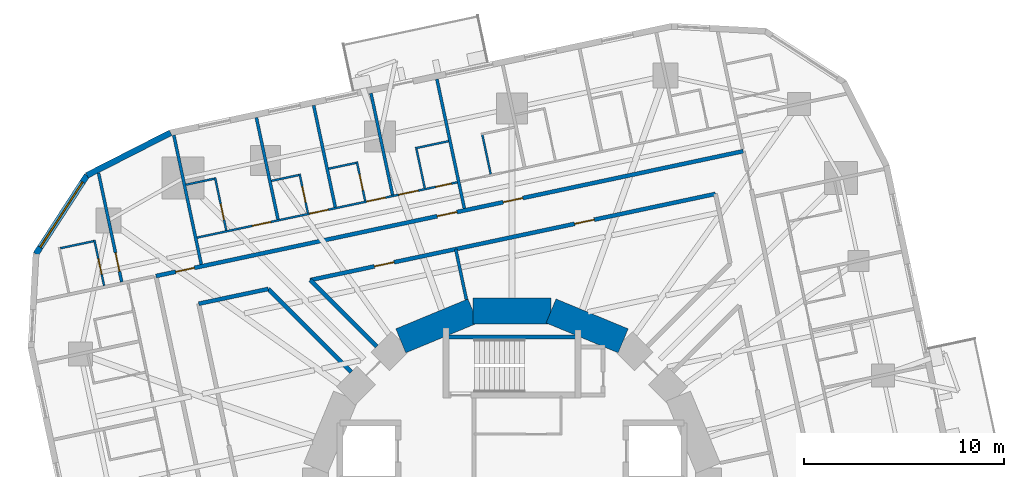
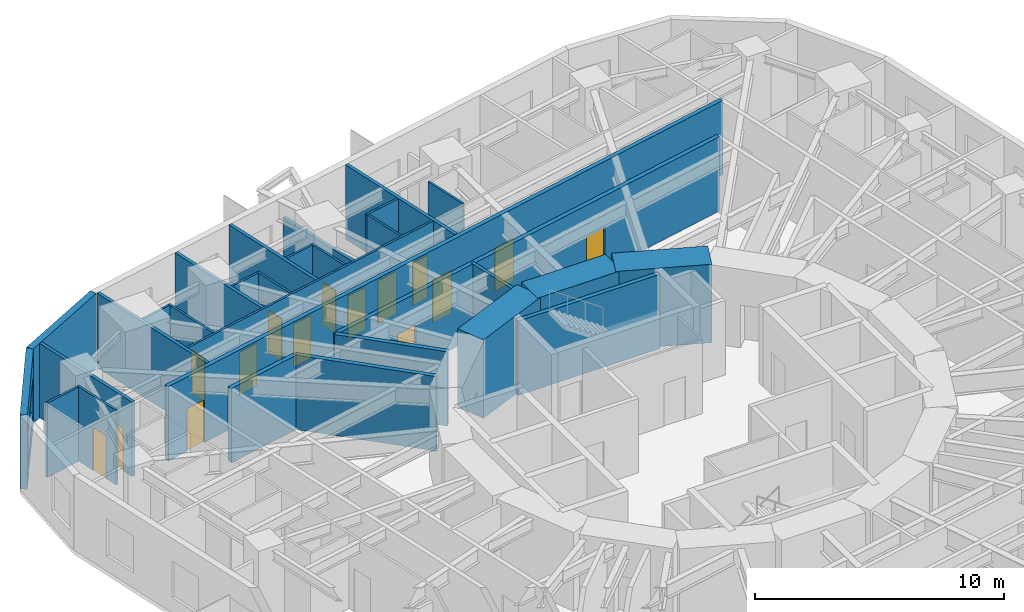
# One storey, part 10 of 14: 30 walls, 15 doors, 1 window, 16 openings.
"""IFC4 building model written with IfcOpenShell, lengths in metres."""

from ifc_helpers import new_model, si_unit, direction, frame, frame_2d, origin, place, context, subcontext, project, spatial, rectangle, extrude, material, layer, layer_set, type_object, element, fill, save


model = new_model("IFC4")

# Units and contexts
model_context = context("Model", 3, precision=1e-05, world=origin(), true_north=direction((0.0, 1.0)))
body_context = subcontext(model_context, "Body", "Model", "MODEL_VIEW")
ifc_project = project(units=[si_unit("LENGTHUNIT", "METRE"), si_unit("AREAUNIT", "SQUARE_METRE"), si_unit("VOLUMEUNIT", "CUBIC_METRE"), si_unit("PLANEANGLEUNIT", "RADIAN"), si_unit("MASSUNIT", "GRAM", prefix="KILO")], contexts=[model_context])

# Site, building, storey
site_placement = place(None, origin())
site = spatial("IfcSite", under=ifc_project, at=site_placement, CompositionType="ELEMENT")
building_placement = place(site_placement, origin())
building = spatial("IfcBuilding", under=site, at=building_placement, Name="Nakasero Lantern House", CompositionType="ELEMENT")
storey_placement = place(building_placement, frame((0.0, 0.0, 112.699951171875)))
storey = spatial("IfcBuildingStorey", under=building, at=storey_placement, Name="L27", CompositionType="ELEMENT", Elevation=112.699951171875)

# Wall, openings, doors
ifc_material_1 = material(Name="Blockwork", Category="masonry")
ifc_layer_1 = layer(ifc_material_1, 0.10009765625)
ifc_layer_set_1 = layer_set([ifc_layer_1], Name="Cluster hall wall 100")
wall_type_1 = type_object("IfcWallType", Name="Cluster hall wall 100", PredefinedType="PARTITIONING", material=ifc_layer_set_1)
wall_1_placement = place(storey_placement, frame((-2.734375, 16.236328125, 0.0), z_axis=(0.0, 0.0, 1.0), x_axis=(-0.978145215443, -0.207922912411, 0.0)))
wall_1 = element("IfcWall", 1, at=wall_1_placement, inside=storey, type_object=wall_type_1, Name="Cluster hall wall L27 HW1-1", PredefinedType="PARTITIONING", context=body_context, shape_type="SweptSolid", body=[
    extrude(rectangle(XDim=13.28955078125, YDim=0.10009765625, at=frame_2d((6.644775390625, 0.0))), origin(), (0.0, 0.0, 1.0), 3.650146484375),
])
opening_1_placement = place(wall_1_placement, frame((1.99365234375, 0.0, 0.0)))
opening_1 = element("IfcOpeningElement", 2, at=opening_1_placement, cuts=wall_1, Name="Opening D03", PredefinedType="OPENING", context=body_context, shape_type="SweptSolid", body=[
    extrude(rectangle(XDim=1.0, YDim=2.10009765625, at=frame_2d((0.5, 1.050048828125))), frame((0.0, 0.070068359375, 0.0), z_axis=(0.0, -1.0, 0.0), x_axis=(1.0, 0.0, 0.0)), (0.0, 0.0, 1.0), 0.14013671875),
])
opening_2_placement = place(wall_1_placement, frame((0.300048828125, 0.0, 0.0)))
opening_2 = element("IfcOpeningElement", 3, at=opening_2_placement, cuts=wall_1, Name="Opening D02", PredefinedType="OPENING", context=body_context, shape_type="SweptSolid", body=[
    extrude(rectangle(XDim=0.800048828125, YDim=2.10009765625, at=frame_2d((0.39990234375, 1.050048828125))), frame((0.0, 0.070068359375, 0.0), z_axis=(0.0, -1.0, 0.0), x_axis=(1.0, 0.0, 0.0)), (0.0, 0.0, 1.0), 0.14013671875),
])
opening_3_placement = place(wall_1_placement, frame((3.668701171875, 0.0, 0.0)))
opening_3 = element("IfcOpeningElement", 4, at=opening_3_placement, cuts=wall_1, Name="Opening D01", PredefinedType="OPENING", context=body_context, shape_type="SweptSolid", body=[
    extrude(rectangle(XDim=0.949951171875, YDim=2.10009765625, at=frame_2d((0.47509765625, 1.050048828125))), frame((0.0, 0.070068359375, 0.0), z_axis=(0.0, -1.0, 0.0), x_axis=(1.0, 0.0, 0.0)), (0.0, 0.0, 1.0), 0.14013671875),
])
opening_4_placement = place(wall_1_placement, frame((6.594970703125, 0.0, 0.0)))
opening_4 = element("IfcOpeningElement", 5, at=opening_4_placement, cuts=wall_1, Name="Opening D01", PredefinedType="OPENING", context=body_context, shape_type="SweptSolid", body=[
    extrude(rectangle(XDim=0.949951171875, YDim=2.10009765625, at=frame_2d((0.47509765625, 1.050048828125))), frame((0.0, 0.070068359375, 0.0), z_axis=(0.0, -1.0, 0.0), x_axis=(1.0, 0.0, 0.0)), (0.0, 0.0, 1.0), 0.14013671875),
])
opening_5_placement = place(wall_1_placement, frame((9.521484375, 0.0, 0.0)))
opening_5 = element("IfcOpeningElement", 6, at=opening_5_placement, cuts=wall_1, Name="Opening D01", PredefinedType="OPENING", context=body_context, shape_type="SweptSolid", body=[
    extrude(rectangle(XDim=0.949951171875, YDim=2.10009765625, at=frame_2d((0.47509765625, 1.050048828125))), frame((0.0, 0.070068359375, 0.0), z_axis=(0.0, -1.0, 0.0), x_axis=(1.0, 0.0, 0.0)), (0.0, 0.0, 1.0), 0.14013671875),
])
ifc_material_2 = material(Name="Timber C24", Category="wood")
door_type_1 = type_object("IfcDoorType", Name="Bedroom door FD30S 950", OperationType="SINGLE_SWING_LEFT", PredefinedType="DOOR", material=ifc_material_2)
door_1_placement = place(opening_3_placement, origin())
door_1 = element("IfcDoor", 7, at=door_1_placement, inside=storey, type_object=door_type_1, Name="Door L27 D1-05", OperationType="SINGLE_SWING_LEFT", OverallHeight=2.10009765625, OverallWidth=0.949951171875, PredefinedType="DOOR", context=body_context, shape_type="SweptSolid", body=[
    extrude(rectangle(XDim=0.949951171875, YDim=2.10009765625, at=frame_2d((0.47509765625, 1.050048828125))), frame((0.0, 0.02490234375, 0.0), z_axis=(0.0, -1.0, 0.0), x_axis=(1.0, 0.0, 0.0)), (0.0, 0.0, 1.0), 0.050048828125),
])
fill(opening_3, door_1)
door_2_placement = place(opening_4_placement, origin())
door_2 = element("IfcDoor", 8, at=door_2_placement, inside=storey, type_object=door_type_1, Name="Door L27 D1-06", OperationType="SINGLE_SWING_RIGHT", OverallHeight=2.10009765625, OverallWidth=0.949951171875, PredefinedType="DOOR", context=body_context, shape_type="SweptSolid", body=[
    extrude(rectangle(XDim=0.949951171875, YDim=2.10009765625, at=frame_2d((0.47509765625, 1.050048828125))), frame((0.0, 0.02490234375, 0.0), z_axis=(0.0, -1.0, 0.0), x_axis=(1.0, 0.0, 0.0)), (0.0, 0.0, 1.0), 0.050048828125),
])
fill(opening_4, door_2)
door_3_placement = place(opening_5_placement, origin())
door_3 = element("IfcDoor", 9, at=door_3_placement, inside=storey, type_object=door_type_1, Name="Door L27 D1-07", OperationType="SINGLE_SWING_RIGHT", OverallHeight=2.10009765625, OverallWidth=0.949951171875, PredefinedType="DOOR", context=body_context, shape_type="SweptSolid", body=[
    extrude(rectangle(XDim=0.949951171875, YDim=2.10009765625, at=frame_2d((0.47509765625, 1.050048828125))), frame((0.0, 0.02490234375, 0.0), z_axis=(0.0, -1.0, 0.0), x_axis=(1.0, 0.0, 0.0)), (0.0, 0.0, 1.0), 0.050048828125),
])
fill(opening_5, door_3)
ifc_material_3 = material(Name="Timber C24", Category="wood")
door_type_2 = type_object("IfcDoorType", Name="En-suite door 800", OperationType="SINGLE_SWING_RIGHT", PredefinedType="DOOR", material=ifc_material_3)
door_4_placement = place(opening_2_placement, origin())
door_4 = element("IfcDoor", 10, at=door_4_placement, inside=storey, type_object=door_type_2, Name="Door L27 DSH1-1", OperationType="SINGLE_SWING_LEFT", OverallHeight=2.10009765625, OverallWidth=0.800048828125, PredefinedType="DOOR", context=body_context, shape_type="SweptSolid", body=[
    extrude(rectangle(XDim=0.800048828125, YDim=2.10009765625, at=frame_2d((0.39990234375, 1.050048828125))), frame((0.0, 0.02490234375, 0.0), z_axis=(0.0, -1.0, 0.0), x_axis=(1.0, 0.0, 0.0)), (0.0, 0.0, 1.0), 0.050048828125),
])
fill(opening_2, door_4)
ifc_material_4 = material(Name="Timber C24", Category="wood")
door_type_3 = type_object("IfcDoorType", Name="Lounge door FD30S 1000", OperationType="SINGLE_SWING_LEFT", PredefinedType="DOOR", material=ifc_material_4)
door_5_placement = place(opening_1_placement, origin())
door_5 = element("IfcDoor", 11, at=door_5_placement, inside=storey, type_object=door_type_3, Name="Door L27 DH1-1", OperationType="SINGLE_SWING_LEFT", OverallHeight=2.10009765625, OverallWidth=1.0, PredefinedType="DOOR", context=body_context, shape_type="SweptSolid", body=[
    extrude(rectangle(XDim=1.0, YDim=2.10009765625, at=frame_2d((0.5, 1.050048828125))), frame((0.0, 0.02490234375, 0.0), z_axis=(0.0, -1.0, 0.0), x_axis=(1.0, 0.0, 0.0)), (0.0, 0.0, 1.0), 0.050048828125),
])
fill(opening_1, door_5)

# Walls
ifc_material_5 = material(Name="Concrete C50/60", Category="concrete")
ifc_layer_2 = layer(ifc_material_5, 1.300048828125)
ifc_layer_set_2 = layer_set([ifc_layer_2], Name="Core wall 1300")
wall_type_2 = type_object("IfcWallType", Name="Core wall 1300", PredefinedType="SHEAR", material=ifc_layer_set_2)
for number, where, z_axis, x_axis, name in (
    (12, (5.5556640625, 8.314697265625, 0.0), (0.0, 0.0, 1.0), (-0.923876507187, 0.382690736062, 0.0), "Core wall L27 facet 3"),
    (13, (1.950927734375, 9.807861328125, 0.0), (0.0, 0.0, 1.0), (-1.0, 0.0, 0.0), "Core wall L27 facet 4"),
    (14, (-1.950927734375, 9.807861328125, 0.0), (0.0, 0.0, 1.0), (-0.923876507187, -0.382690736062, 0.0), "Core wall L27 facet 5"),
):
    element("IfcWall", number, at=place(storey_placement, frame(where, z_axis=z_axis, x_axis=x_axis)), inside=storey, type_object=wall_type_2, Name=name, PredefinedType="SHEAR", context=body_context, shape_type="SweptSolid", body=[
        extrude(rectangle(XDim=3.90185546875, YDim=1.300048828125, at=frame_2d((1.950927734375, 0.0))), origin(), (0.0, 0.0, 1.0), 3.85009765625),
    ])

# Wall, openings, doors
ifc_material_6 = material(Name="Blockwork", Category="masonry")
ifc_layer_3 = layer(ifc_material_6, 0.199951171875)
ifc_layer_set_3 = layer_set([ifc_layer_3], Name="Corridor wall 200")
wall_type_3 = type_object("IfcWallType", Name="Corridor wall 200", PredefinedType="PARTITIONING", material=ifc_layer_set_3)
wall_2_placement = place(storey_placement, frame((11.553466796875, 17.790771484375, 0.0), z_axis=(0.0, 0.0, 1.0), x_axis=(-0.978147639417, -0.207911508826, 0.0)))
wall_2 = element("IfcWall", 15, at=wall_2_placement, inside=storey, type_object=wall_type_3, Name="Corridor wall L27 CW1", PredefinedType="PARTITIONING", context=body_context, shape_type="SweptSolid", body=[
    extrude(rectangle(XDim=29.999755859375, YDim=0.199951171875, at=frame_2d((15.0, 0.0))), origin(), (0.0, 0.0, 1.0), 3.650146484375),
])
opening_6_placement = place(wall_2_placement, frame((11.255126953125, 0.0, 0.0)))
opening_6 = element("IfcOpeningElement", 16, at=opening_6_placement, cuts=wall_2, Name="Opening D14", PredefinedType="OPENING", context=body_context, shape_type="SweptSolid", body=[
    extrude(rectangle(XDim=1.0, YDim=2.10009765625, at=frame_2d((0.5, 1.050048828125))), frame((0.0, 0.119873046875, 0.0), z_axis=(0.0, -1.0, 0.0), x_axis=(1.0, 0.0, 0.0)), (0.0, 0.0, 1.0), 0.239990234375),
])
opening_7_placement = place(wall_2_placement, frame((14.623779296875, 0.0, 0.0)))
opening_7 = element("IfcOpeningElement", 17, at=opening_7_placement, cuts=wall_2, Name="Opening D14", PredefinedType="OPENING", context=body_context, shape_type="SweptSolid", body=[
    extrude(rectangle(XDim=1.0, YDim=2.10009765625, at=frame_2d((0.5, 1.050048828125))), frame((0.0, 0.119873046875, 0.0), z_axis=(0.0, -1.0, 0.0), x_axis=(1.0, 0.0, 0.0)), (0.0, 0.0, 1.0), 0.239990234375),
])
opening_8_placement = place(wall_2_placement, frame((28.038330078125, 0.0, 0.0)))
opening_8 = element("IfcOpeningElement", 18, at=opening_8_placement, cuts=wall_2, Name="Opening D01", PredefinedType="OPENING", context=body_context, shape_type="SweptSolid", body=[
    extrude(rectangle(XDim=0.949951171875, YDim=2.10009765625, at=frame_2d((0.47509765625, 1.050048828125))), frame((0.0, 0.119873046875, 0.0), z_axis=(0.0, -1.0, 0.0), x_axis=(1.0, 0.0, 0.0)), (0.0, 0.0, 1.0), 0.239990234375),
])
door_6_placement = place(opening_8_placement, origin())
door_6 = element("IfcDoor", 19, at=door_6_placement, inside=storey, type_object=door_type_1, Name="Door L27 D1-08", OperationType="SINGLE_SWING_RIGHT", OverallHeight=2.10009765625, OverallWidth=0.949951171875, PredefinedType="DOOR", context=body_context, shape_type="SweptSolid", body=[
    extrude(rectangle(XDim=0.949951171875, YDim=2.10009765625, at=frame_2d((0.47509765625, 1.050048828125))), frame((0.0, 0.02490234375, 0.0), z_axis=(0.0, -1.0, 0.0), x_axis=(1.0, 0.0, 0.0)), (0.0, 0.0, 1.0), 0.050048828125),
])
fill(opening_8, door_6)
ifc_material_7 = material(Name="Timber C24", Category="wood")
door_type_4 = type_object("IfcDoorType", Name="Cluster entrance door FD30S 1000", OperationType="SINGLE_SWING_LEFT", PredefinedType="DOOR", material=ifc_material_7)
door_7_placement = place(opening_6_placement, origin())
door_7 = element("IfcDoor", 20, at=door_7_placement, inside=storey, type_object=door_type_4, Name="Door L27 DF1-0", OperationType="SINGLE_SWING_LEFT", OverallHeight=2.10009765625, OverallWidth=1.0, PredefinedType="DOOR", context=body_context, shape_type="SweptSolid", body=[
    extrude(rectangle(XDim=1.0, YDim=2.10009765625, at=frame_2d((0.5, 1.050048828125))), frame((0.0, 0.02490234375, 0.0), z_axis=(0.0, -1.0, 0.0), x_axis=(1.0, 0.0, 0.0)), (0.0, 0.0, 1.0), 0.050048828125),
])
fill(opening_6, door_7)
door_8_placement = place(opening_7_placement, origin())
door_8 = element("IfcDoor", 21, at=door_8_placement, inside=storey, type_object=door_type_4, Name="Door L27 DF1-1", OperationType="SINGLE_SWING_RIGHT", OverallHeight=2.10009765625, OverallWidth=1.0, PredefinedType="DOOR", context=body_context, shape_type="SweptSolid", body=[
    extrude(rectangle(XDim=1.0, YDim=2.10009765625, at=frame_2d((0.5, 1.050048828125))), frame((0.0, 0.02490234375, 0.0), z_axis=(0.0, -1.0, 0.0), x_axis=(1.0, 0.0, 0.0)), (0.0, 0.0, 1.0), 0.050048828125),
])
fill(opening_7, door_8)

wall_3_placement = place(storey_placement, frame((10.1669921875, 15.656005859375, 0.0), z_axis=(0.0, 0.0, 1.0), x_axis=(-0.978145959178, -0.207919413582, 0.0)))
wall_3 = element("IfcWall", 22, at=wall_3_placement, inside=storey, type_object=wall_type_3, Name="Corridor wall L27 IW1-0", PredefinedType="PARTITIONING", context=body_context, shape_type="SweptSolid", body=[
    extrude(rectangle(XDim=20.698974609375, YDim=0.199951171875, at=frame_2d((10.349609375, 0.0))), origin(), (0.0, 0.0, 1.0), 3.650146484375),
])
opening_9_placement = place(wall_3_placement, frame((6.197509765625, 0.0, 0.0)))
opening_9 = element("IfcOpeningElement", 23, at=opening_9_placement, cuts=wall_3, Name="Opening D07", PredefinedType="OPENING", context=body_context, shape_type="SweptSolid", body=[
    extrude(rectangle(XDim=1.0, YDim=2.10009765625, at=frame_2d((0.5, 1.050048828125))), frame((0.0, 0.119873046875, 0.0), z_axis=(0.0, -1.0, 0.0), x_axis=(1.0, 0.0, 0.0)), (0.0, 0.0, 1.0), 0.239990234375),
])
opening_10_placement = place(wall_3_placement, frame((16.422119140625, 0.0, 0.0)))
opening_10 = element("IfcOpeningElement", 24, at=opening_10_placement, cuts=wall_3, Name="Opening D07", PredefinedType="OPENING", context=body_context, shape_type="SweptSolid", body=[
    extrude(rectangle(XDim=1.0, YDim=2.10009765625, at=frame_2d((0.5, 1.050048828125))), frame((0.0, 0.119873046875, 0.0), z_axis=(0.0, -1.0, 0.0), x_axis=(1.0, 0.0, 0.0)), (0.0, 0.0, 1.0), 0.239990234375),
])
ifc_material_8 = material(Name="Timber C24", Category="wood")
door_type_5 = type_object("IfcDoorType", Name="Room door FD30S 1000", OperationType="SINGLE_SWING_LEFT", PredefinedType="DOOR", material=ifc_material_8)
door_9_placement = place(opening_9_placement, origin())
door_9 = element("IfcDoor", 25, at=door_9_placement, inside=storey, type_object=door_type_5, Name="Door L27 DI5", OperationType="SINGLE_SWING_LEFT", OverallHeight=2.10009765625, OverallWidth=1.0, PredefinedType="DOOR", context=body_context, shape_type="SweptSolid", body=[
    extrude(rectangle(XDim=1.0, YDim=2.10009765625, at=frame_2d((0.5, 1.050048828125))), frame((0.0, 0.02490234375, 0.0), z_axis=(0.0, -1.0, 0.0), x_axis=(1.0, 0.0, 0.0)), (0.0, 0.0, 1.0), 0.050048828125),
])
fill(opening_9, door_9)
door_10_placement = place(opening_10_placement, origin())
door_10 = element("IfcDoor", 26, at=door_10_placement, inside=storey, type_object=door_type_5, Name="Door L27 DI6", OperationType="SINGLE_SWING_RIGHT", OverallHeight=2.10009765625, OverallWidth=1.0, PredefinedType="DOOR", context=body_context, shape_type="SweptSolid", body=[
    extrude(rectangle(XDim=1.0, YDim=2.10009765625, at=frame_2d((0.5, 1.050048828125))), frame((0.0, 0.02490234375, 0.0), z_axis=(0.0, -1.0, 0.0), x_axis=(1.0, 0.0, 0.0)), (0.0, 0.0, 1.0), 0.050048828125),
])
fill(opening_10, door_10)

# Walls
wall_4_placement = place(storey_placement, frame((-12.178955078125, 10.90625, 0.0), z_axis=(0.0, 0.0, 1.0), x_axis=(-0.978136852319, -0.207962251708, 0.0)))
element("IfcWall", 27, at=wall_4_placement, inside=storey, type_object=wall_type_3, Name="Corridor wall L27 IW1-1", PredefinedType="PARTITIONING", context=body_context, shape_type="SweptSolid", body=[
    extrude(rectangle(XDim=3.5546875, YDim=0.199951171875, at=frame_2d((1.77734375, 0.0))), origin(), (0.0, 0.0, 1.0), 3.650146484375),
])
wall_5_placement = place(storey_placement, frame((-8.03125, 6.758544921875, 0.0), z_axis=(0.0, 0.0, 1.0), x_axis=(-0.707106781187, 0.707106781187, 0.0)))
element("IfcWall", 28, at=wall_5_placement, inside=storey, type_object=wall_type_3, Name="Corridor wall L27 PS06a", PredefinedType="PARTITIONING", context=body_context, shape_type="SweptSolid", body=[
    extrude(rectangle(XDim=5.86572265625, YDim=0.199951171875, at=frame_2d((2.932861328125, 0.0))), origin(), (0.0, 0.0, 1.0), 3.650146484375),
])
wall_6_placement = place(storey_placement, frame((-6.758544921875, 8.03125, 0.0), z_axis=(0.0, 0.0, 1.0), x_axis=(-0.707106781187, 0.707106781187, 0.0)))
element("IfcWall", 29, at=wall_6_placement, inside=storey, type_object=wall_type_3, Name="Corridor wall L27 PS06b", PredefinedType="PARTITIONING", context=body_context, shape_type="SweptSolid", body=[
    extrude(rectangle(XDim=4.69677734375, YDim=0.199951171875, at=frame_2d((2.348388671875, 0.0))), origin(), (0.0, 0.0, 1.0), 3.650146484375),
])
ifc_material_9 = material(Name="Blockwork", Category="masonry")
ifc_layer_4 = layer(ifc_material_9, 0.10009765625)
ifc_layer_set_4 = layer_set([ifc_layer_4], Name="En-suite wall 100")
wall_type_4 = type_object("IfcWallType", Name="En-suite wall 100", PredefinedType="PARTITIONING", material=ifc_layer_set_4)
for number, where, z_axis, x_axis, name in (
    (30, (-1.0634765625, 16.642578125, 0.0), (0.0, 0.0, 1.0), (-0.207972763311, 0.978134617382, 0.0), "En-suite wall L27 SS1-0"),
    (31, (-4.358642578125, 15.942138671875, 0.0), (0.0, 0.0, 1.0), (-0.207861536591, 0.97815826, 0.0), "En-suite wall L27 SS1-1"),
):
    element("IfcWall", number, at=place(storey_placement, frame(where, z_axis=z_axis, x_axis=x_axis)), inside=storey, type_object=wall_type_4, Name=name, PredefinedType="PARTITIONING", context=body_context, shape_type="SweptSolid", body=[
        extrude(rectangle(XDim=2.10009765625, YDim=0.10009765625, at=frame_2d((1.050048828125, 0.0))), origin(), (0.0, 0.0, 1.0), 3.650146484375),
    ])
wall_7_placement = place(storey_placement, frame((-3.1708984375, 18.29052734375, 0.0), z_axis=(0.0, 0.0, 1.0), x_axis=(-0.97813950236, -0.207949787024, 0.0)))
element("IfcWall", 32, at=wall_7_placement, inside=storey, type_object=wall_type_4, Name="En-suite wall L27 SE1-1", PredefinedType="PARTITIONING", context=body_context, shape_type="SweptSolid", body=[
    extrude(rectangle(XDim=1.699951171875, YDim=0.10009765625, at=frame_2d((0.85009765625, 0.0))), origin(), (0.0, 0.0, 1.0), 3.650146484375),
])

# Wall, opening, door
wall_8_placement = place(storey_placement, frame((-7.337158203125, 15.30908203125, 0.0), z_axis=(0.0, 0.0, 1.0), x_axis=(-0.207886494942, 0.978152955943, 0.0)))
wall_8 = element("IfcWall", 33, at=wall_8_placement, inside=storey, type_object=wall_type_4, Name="En-suite wall L27 ES1-05", PredefinedType="PARTITIONING", context=body_context, shape_type="SweptSolid", body=[
    extrude(rectangle(XDim=2.0, YDim=0.10009765625, at=frame_2d((1.0, 0.0))), origin(), (0.0, 0.0, 1.0), 3.650146484375),
])
opening_11_placement = place(wall_8_placement, frame((0.550048828125, 0.0, 0.0)))
opening_11 = element("IfcOpeningElement", 34, at=opening_11_placement, cuts=wall_8, Name="Opening D02", PredefinedType="OPENING", context=body_context, shape_type="SweptSolid", body=[
    extrude(rectangle(XDim=0.800048828125, YDim=2.10009765625, at=frame_2d((0.39990234375, 1.050048828125))), frame((0.0, 0.070068359375, 0.0), z_axis=(0.0, -1.0, 0.0), x_axis=(1.0, 0.0, 0.0)), (0.0, 0.0, 1.0), 0.14013671875),
])
door_11_placement = place(opening_11_placement, origin())
door_11 = element("IfcDoor", 35, at=door_11_placement, inside=storey, type_object=door_type_2, Name="Door L27 DE1-05", OperationType="SINGLE_SWING_LEFT", OverallHeight=2.10009765625, OverallWidth=0.800048828125, PredefinedType="DOOR", context=body_context, shape_type="SweptSolid", body=[
    extrude(rectangle(XDim=0.800048828125, YDim=2.10009765625, at=frame_2d((0.39990234375, 1.050048828125))), frame((0.0, 0.02490234375, 0.0), z_axis=(0.0, -1.0, 0.0), x_axis=(1.0, 0.0, 0.0)), (0.0, 0.0, 1.0), 0.050048828125),
])
fill(opening_11, door_11)

# Wall
wall_9_placement = place(storey_placement, frame((-7.79150390625, 17.2060546875, 0.0), z_axis=(0.0, 0.0, 1.0), x_axis=(-0.978155748334, -0.207873355681, 0.0)))
element("IfcWall", 36, at=wall_9_placement, inside=storey, type_object=wall_type_4, Name="En-suite wall L27 EE1-05", PredefinedType="PARTITIONING", context=body_context, shape_type="SweptSolid", body=[
    extrude(rectangle(XDim=1.39990234375, YDim=0.10009765625, at=frame_2d((0.699951171875, 0.0))), origin(), (0.0, 0.0, 1.0), 3.650146484375),
])

# Wall, opening, door
wall_10_placement = place(storey_placement, frame((-10.19970703125, 14.70068359375, 0.0), z_axis=(0.0, 0.0, 1.0), x_axis=(-0.207886494942, 0.978152955943, 0.0)))
wall_10 = element("IfcWall", 37, at=wall_10_placement, inside=storey, type_object=wall_type_4, Name="En-suite wall L27 ES1-06", PredefinedType="PARTITIONING", context=body_context, shape_type="SweptSolid", body=[
    extrude(rectangle(XDim=2.0, YDim=0.10009765625, at=frame_2d((1.0, 0.0))), origin(), (0.0, 0.0, 1.0), 3.650146484375),
])
opening_12_placement = place(wall_10_placement, frame((0.550048828125, 0.0, 0.0)))
opening_12 = element("IfcOpeningElement", 38, at=opening_12_placement, cuts=wall_10, Name="Opening D02", PredefinedType="OPENING", context=body_context, shape_type="SweptSolid", body=[
    extrude(rectangle(XDim=0.800048828125, YDim=2.10009765625, at=frame_2d((0.39990234375, 1.050048828125))), frame((0.0, 0.070068359375, 0.0), z_axis=(0.0, -1.0, 0.0), x_axis=(1.0, 0.0, 0.0)), (0.0, 0.0, 1.0), 0.14013671875),
])
door_12_placement = place(opening_12_placement, origin())
door_12 = element("IfcDoor", 39, at=door_12_placement, inside=storey, type_object=door_type_2, Name="Door L27 DE1-06", OperationType="SINGLE_SWING_LEFT", OverallHeight=2.10009765625, OverallWidth=0.800048828125, PredefinedType="DOOR", context=body_context, shape_type="SweptSolid", body=[
    extrude(rectangle(XDim=0.800048828125, YDim=2.10009765625, at=frame_2d((0.39990234375, 1.050048828125))), frame((0.0, 0.02490234375, 0.0), z_axis=(0.0, -1.0, 0.0), x_axis=(1.0, 0.0, 0.0)), (0.0, 0.0, 1.0), 0.050048828125),
])
fill(opening_12, door_12)

# Wall
wall_11_placement = place(storey_placement, frame((-10.654052734375, 16.59765625, 0.0), z_axis=(0.0, 0.0, 1.0), x_axis=(-0.978155748334, -0.207873355681, 0.0)))
element("IfcWall", 40, at=wall_11_placement, inside=storey, type_object=wall_type_4, Name="En-suite wall L27 EE1-06", PredefinedType="PARTITIONING", context=body_context, shape_type="SweptSolid", body=[
    extrude(rectangle(XDim=1.39990234375, YDim=0.10009765625, at=frame_2d((0.699951171875, 0.0))), origin(), (0.0, 0.0, 1.0), 3.650146484375),
])

# Wall, opening, door
wall_12_placement = place(storey_placement, frame((-14.276611328125, 13.833984375, 0.0), z_axis=(0.0, 0.0, 1.0), x_axis=(-0.207960405185, 0.978137244908, 0.0)))
wall_12 = element("IfcWall", 41, at=wall_12_placement, inside=storey, type_object=wall_type_4, Name="En-suite wall L27 ES1-07", PredefinedType="PARTITIONING", context=body_context, shape_type="SweptSolid", body=[
    extrude(rectangle(XDim=2.7001953125, YDim=0.10009765625, at=frame_2d((1.35009765625, 0.0))), origin(), (0.0, 0.0, 1.0), 3.650146484375),
])
opening_13_placement = place(wall_12_placement, frame((0.550048828125, 0.0, 0.0)))
opening_13 = element("IfcOpeningElement", 42, at=opening_13_placement, cuts=wall_12, Name="Opening D02", PredefinedType="OPENING", context=body_context, shape_type="SweptSolid", body=[
    extrude(rectangle(XDim=0.800048828125, YDim=2.10009765625, at=frame_2d((0.39990234375, 1.050048828125))), frame((0.0, 0.070068359375, 0.0), z_axis=(0.0, -1.0, 0.0), x_axis=(1.0, 0.0, 0.0)), (0.0, 0.0, 1.0), 0.14013671875),
])
door_13_placement = place(opening_13_placement, origin())
door_13 = element("IfcDoor", 43, at=door_13_placement, inside=storey, type_object=door_type_2, Name="Door L27 DE1-07", OperationType="SINGLE_SWING_LEFT", OverallHeight=2.10009765625, OverallWidth=0.800048828125, PredefinedType="DOOR", context=body_context, shape_type="SweptSolid", body=[
    extrude(rectangle(XDim=0.800048828125, YDim=2.10009765625, at=frame_2d((0.39990234375, 1.050048828125))), frame((0.0, 0.02490234375, 0.0), z_axis=(0.0, -1.0, 0.0), x_axis=(1.0, 0.0, 0.0)), (0.0, 0.0, 1.0), 0.050048828125),
])
fill(opening_13, door_13)

# Wall
wall_13_placement = place(storey_placement, frame((-14.87646484375, 16.415771484375, 0.0), z_axis=(0.0, 0.0, 1.0), x_axis=(-0.978146012851, -0.207919161079, 0.0)))
element("IfcWall", 44, at=wall_13_placement, inside=storey, type_object=wall_type_4, Name="En-suite wall L27 EE1-07", PredefinedType="PARTITIONING", context=body_context, shape_type="SweptSolid", body=[
    extrude(rectangle(XDim=1.4501953125, YDim=0.10009765625, at=frame_2d((0.72509765625, 0.0))), origin(), (0.0, 0.0, 1.0), 3.650146484375),
])

# Wall, opening, door
wall_14_placement = place(storey_placement, frame((-20.382568359375, 11.069091796875, 0.0), z_axis=(0.0, 0.0, 1.0), x_axis=(-0.207965047255, 0.978136257952, 0.0)))
wall_14 = element("IfcWall", 45, at=wall_14_placement, inside=storey, type_object=wall_type_4, Name="En-suite wall L27 ES1-08", PredefinedType="PARTITIONING", context=body_context, shape_type="SweptSolid", body=[
    extrude(rectangle(XDim=2.3349609375, YDim=0.10009765625, at=frame_2d((1.16748046875, 0.0))), origin(), (0.0, 0.0, 1.0), 3.650146484375),
])
opening_14_placement = place(wall_14_placement, frame((0.5849609375, 0.0, 0.0)))
opening_14 = element("IfcOpeningElement", 46, at=opening_14_placement, cuts=wall_14, Name="Opening D02", PredefinedType="OPENING", context=body_context, shape_type="SweptSolid", body=[
    extrude(rectangle(XDim=0.800048828125, YDim=2.10009765625, at=frame_2d((0.39990234375, 1.050048828125))), frame((0.0, 0.070068359375, 0.0), z_axis=(0.0, -1.0, 0.0), x_axis=(1.0, 0.0, 0.0)), (0.0, 0.0, 1.0), 0.14013671875),
])
door_14_placement = place(opening_14_placement, origin())
door_14 = element("IfcDoor", 47, at=door_14_placement, inside=storey, type_object=door_type_2, Name="Door L27 DE1-08", OperationType="SINGLE_SWING_LEFT", OverallHeight=2.10009765625, OverallWidth=0.800048828125, PredefinedType="DOOR", context=body_context, shape_type="SweptSolid", body=[
    extrude(rectangle(XDim=0.800048828125, YDim=2.10009765625, at=frame_2d((0.39990234375, 1.050048828125))), frame((0.0, 0.02490234375, 0.0), z_axis=(0.0, -1.0, 0.0), x_axis=(1.0, 0.0, 0.0)), (0.0, 0.0, 1.0), 0.050048828125),
])
fill(opening_14, door_14)

# Walls
wall_15_placement = place(storey_placement, frame((-20.906494140625, 13.293701171875, 0.0), z_axis=(0.0, 0.0, 1.0), x_axis=(-0.978168704767, -0.207812379357, 0.0)))
element("IfcWall", 48, at=wall_15_placement, inside=storey, type_object=wall_type_4, Name="En-suite wall L27 EE1-08", PredefinedType="PARTITIONING", context=body_context, shape_type="SweptSolid", body=[
    extrude(rectangle(XDim=1.699951171875, YDim=0.10009765625, at=frame_2d((0.85009765625, 0.0))), origin(), (0.0, 0.0, 1.0), 3.650146484375),
])
ifc_material_10 = material(Name="Aluminium rainscreen on blockwork", Category="masonry")
ifc_layer_5 = layer(ifc_material_10, 0.300048828125)
ifc_layer_set_5 = layer_set([ifc_layer_5], Name="Facade wall 300")
wall_type_5 = type_object("IfcWallType", Name="Facade wall 300", PredefinedType="SOLIDWALL", material=ifc_layer_set_5)
wall_16_placement = place(storey_placement, frame((-17.063232421875, 18.711181640625, 0.0), z_axis=(0.0, 0.0, 1.0), x_axis=(-0.89101404178, -0.453975745332, 0.0)))
element("IfcWall", 49, at=wall_16_placement, inside=storey, type_object=wall_type_5, Name="Facade wall L27 FW1C1", PredefinedType="SOLIDWALL", context=body_context, shape_type="SweptSolid", body=[
    extrude(rectangle(XDim=4.6845703125, YDim=0.300048828125, at=frame_2d((2.34228515625, 0.0))), origin(), (0.0, 0.0, 1.0), 3.650146484375),
])

# Wall, opening, window
wall_17_placement = place(storey_placement, frame((-21.2373046875, 16.58447265625, 0.0), z_axis=(0.0, 0.0, 1.0), x_axis=(-0.544605442853, -0.838692381994, 0.0)))
wall_17 = element("IfcWall", 50, at=wall_17_placement, inside=storey, type_object=wall_type_5, Name="Facade wall L27 FW1C2", PredefinedType="SOLIDWALL", context=body_context, shape_type="SweptSolid", body=[
    extrude(rectangle(XDim=4.6845703125, YDim=0.300048828125, at=frame_2d((2.34228515625, 0.0))), origin(), (0.0, 0.0, 1.0), 3.650146484375),
])
opening_15_placement = place(wall_17_placement, frame((0.39990234375, 0.0, 0.75)))
opening_15 = element("IfcOpeningElement", 51, at=opening_15_placement, cuts=wall_17, Name="Opening W238", PredefinedType="OPENING", context=body_context, shape_type="SweptSolid", body=[
    extrude(rectangle(XDim=3.885009765625, YDim=1.800048828125, at=frame_2d((1.9423828125, 0.89990234375))), frame((0.0, 0.169921875, 0.0), z_axis=(0.0, -1.0, 0.0), x_axis=(1.0, 0.0, 0.0)), (0.0, 0.0, 1.0), 0.340087890625),
])
ifc_material_11 = material(Name="Aluminium 6063-T6 and glass", Category="aluminium")
window_type = type_object("IfcWindowType", Name="Corner window 3885x1800", PartitioningType="SINGLE_PANEL", PredefinedType="WINDOW", material=ifc_material_11)
window_placement = place(opening_15_placement, origin())
window = element("IfcWindow", 52, at=window_placement, inside=storey, type_object=window_type, Name="Window L27 WC1", OverallHeight=1.800048828125, OverallWidth=3.885009765625, PartitioningType="SINGLE_PANEL", PredefinedType="WINDOW", context=body_context, shape_type="SweptSolid", body=[
    extrude(rectangle(XDim=3.885009765625, YDim=1.800048828125, at=frame_2d((1.9423828125, 0.89990234375))), frame((0.0, 0.030029296875, 0.0), z_axis=(0.0, -1.0, 0.0), x_axis=(1.0, 0.0, 0.0)), (0.0, 0.0, 1.0), 0.06005859375),
])
fill(opening_15, window)

# Walls
ifc_material_12 = material(Name="Blockwork", Category="masonry")
ifc_layer_6 = layer(ifc_material_12, 0.199951171875)
ifc_layer_set_6 = layer_set([ifc_layer_6], Name="Fire lobby wall 200")
wall_type_6 = type_object("IfcWallType", Name="Fire lobby wall 200", PredefinedType="PARTITIONING", material=ifc_layer_set_6)
wall_18_placement = place(storey_placement, frame((-3.300048828125, 8.5, 0.0), z_axis=(0.0, 0.0, 1.0), x_axis=(1.0, 0.0, 0.0)))
element("IfcWall", 53, at=wall_18_placement, inside=storey, type_object=wall_type_6, Name="Fire lobby wall L27 W-STN", PredefinedType="PARTITIONING", context=body_context, shape_type="SweptSolid", body=[
    extrude(rectangle(XDim=6.60009765625, YDim=0.199951171875, at=frame_2d((3.300048828125, 0.0))), origin(), (0.0, 0.0, 1.0), 3.650146484375),
])
ifc_material_13 = material(Name="Blockwork", Category="masonry")
ifc_layer_7 = layer(ifc_material_13, 0.14990234375)
ifc_layer_set_7 = layer_set([ifc_layer_7], Name="Party wall 150")
wall_type_7 = type_object("IfcWallType", Name="Party wall 150", PredefinedType="PARTITIONING", material=ifc_layer_set_7)
wall_19_placement = place(storey_placement, frame((-2.38037109375, 14.931396484375, 0.0), z_axis=(0.0, 0.0, 1.0), x_axis=(-0.207889281984, 0.97815236361, 0.0)))
element("IfcWall", 54, at=wall_19_placement, inside=storey, type_object=wall_type_7, Name="Party wall L27 PW1-04", PredefinedType="PARTITIONING", context=body_context, shape_type="SweptSolid", body=[
    extrude(rectangle(XDim=6.60009765625, YDim=0.14990234375, at=frame_2d((3.300048828125, 0.0))), origin(), (0.0, 0.0, 1.0), 3.650146484375),
])
wall_20_placement = place(storey_placement, frame((-5.966552734375, 15.600341796875, 0.0), z_axis=(0.0, 0.0, 1.0), x_axis=(-0.207893569688, 0.978151452323, 0.0)))
element("IfcWall", 55, at=wall_20_placement, inside=storey, type_object=wall_type_7, Name="Party wall L27 PW1-05", PredefinedType="PARTITIONING", context=body_context, shape_type="SweptSolid", body=[
    extrude(rectangle(XDim=5.199951171875, YDim=0.14990234375, at=frame_2d((2.60009765625, 0.0))), origin(), (0.0, 0.0, 1.0), 2.641845703125),
])
for number, where, z_axis, x_axis, name in (
    (56, (-8.828857421875, 14.991943359375, 0.0), (0.0, 0.0, 1.0), (-0.207893569688, 0.978151452323, 0.0), "Party wall L27 PW1-06"),
    (57, (-11.69140625, 14.383544921875, 0.0), (0.0, 0.0, 1.0), (-0.207893569688, 0.978151452323, 0.0), "Party wall L27 PW1-07"),
):
    element("IfcWall", number, at=place(storey_placement, frame(where, z_axis=z_axis, x_axis=x_axis)), inside=storey, type_object=wall_type_7, Name=name, PredefinedType="PARTITIONING", context=body_context, shape_type="SweptSolid", body=[
        extrude(rectangle(XDim=5.199951171875, YDim=0.14990234375, at=frame_2d((2.60009765625, 0.0))), origin(), (0.0, 0.0, 1.0), 3.650146484375),
    ])
wall_21_placement = place(storey_placement, frame((-15.526123046875, 12.13720703125, 0.0), z_axis=(0.0, 0.0, 1.0), x_axis=(-0.207924673876, 0.978144841009, 0.0)))
element("IfcWall", 58, at=wall_21_placement, inside=storey, type_object=wall_type_7, Name="Party wall L27 PW1-08", PredefinedType="PARTITIONING", context=body_context, shape_type="SweptSolid", body=[
    extrude(rectangle(XDim=6.60009765625, YDim=0.14990234375, at=frame_2d((3.300048828125, 0.0))), origin(), (0.0, 0.0, 1.0), 3.650146484375),
])

# Wall, opening, door
wall_22_placement = place(storey_placement, frame((-19.502197265625, 11.256103515625, 0.0), z_axis=(0.0, 0.0, 1.0), x_axis=(-0.207936339891, 0.978142361087, 0.0)))
wall_22 = element("IfcWall", 59, at=wall_22_placement, inside=storey, type_object=wall_type_7, Name="Party wall L27 PC1", PredefinedType="PARTITIONING", context=body_context, shape_type="SweptSolid", body=[
    extrude(rectangle(XDim=5.570068359375, YDim=0.14990234375, at=frame_2d((2.78515625, 0.0))), origin(), (0.0, 0.0, 1.0), 3.650146484375),
])
opening_16_placement = place(wall_22_placement, frame((0.534912109375, 0.0, 0.0)))
opening_16 = element("IfcOpeningElement", 60, at=opening_16_placement, cuts=wall_22, Name="Opening D01", PredefinedType="OPENING", context=body_context, shape_type="SweptSolid", body=[
    extrude(rectangle(XDim=0.949951171875, YDim=2.10009765625, at=frame_2d((0.47509765625, 1.050048828125))), frame((0.0, 0.094970703125, 0.0), z_axis=(0.0, -1.0, 0.0), x_axis=(1.0, 0.0, 0.0)), (0.0, 0.0, 1.0), 0.18994140625),
])
door_15_placement = place(opening_16_placement, origin())
door_15 = element("IfcDoor", 61, at=door_15_placement, inside=storey, type_object=door_type_1, Name="Door L27 DC1", OperationType="SINGLE_SWING_LEFT", OverallHeight=2.10009765625, OverallWidth=0.949951171875, PredefinedType="DOOR", context=body_context, shape_type="SweptSolid", body=[
    extrude(rectangle(XDim=0.949951171875, YDim=2.10009765625, at=frame_2d((0.47509765625, 1.050048828125))), frame((0.0, 0.02490234375, 0.0), z_axis=(0.0, -1.0, 0.0), x_axis=(1.0, 0.0, 0.0)), (0.0, 0.0, 1.0), 0.050048828125),
])
fill(opening_16, door_15)

# Wall
wall_23_placement = place(storey_placement, frame((-2.81298828125, 12.89697265625, 0.0), z_axis=(0.0, 0.0, 1.0), x_axis=(0.20794373203, -0.978140789615, 0.0)))
element("IfcWall", 62, at=wall_23_placement, inside=storey, type_object=wall_type_7, Name="Party wall L27 IM1", PredefinedType="PARTITIONING", context=body_context, shape_type="SweptSolid", body=[
    extrude(rectangle(XDim=2.5771484375, YDim=0.14990234375, at=frame_2d((1.28857421875, 0.0))), origin(), (0.0, 0.0, 1.0), 3.650146484375),
])

save(model, "model.ifc")
